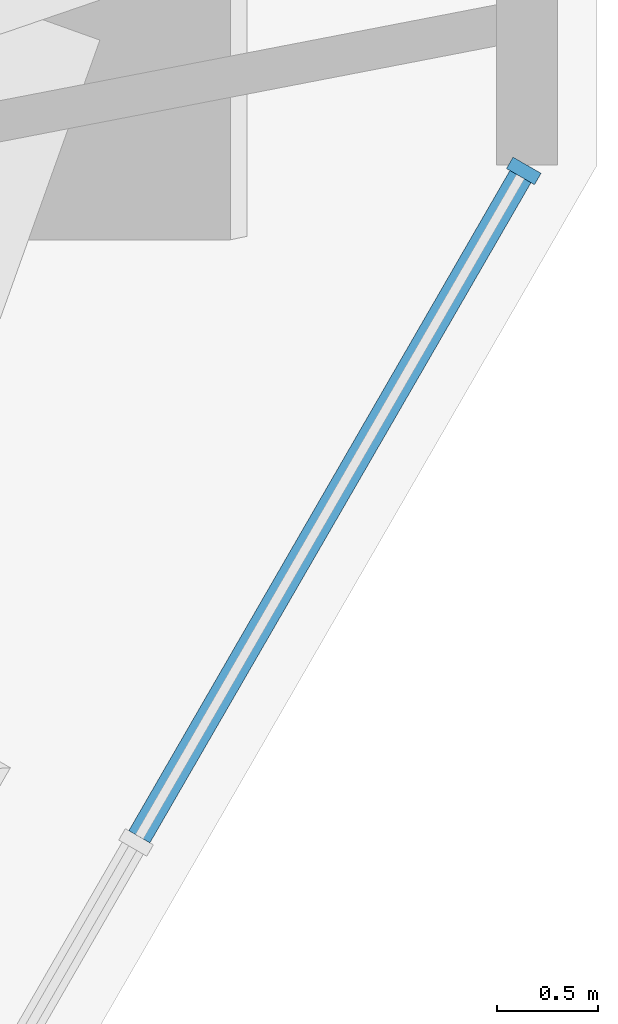
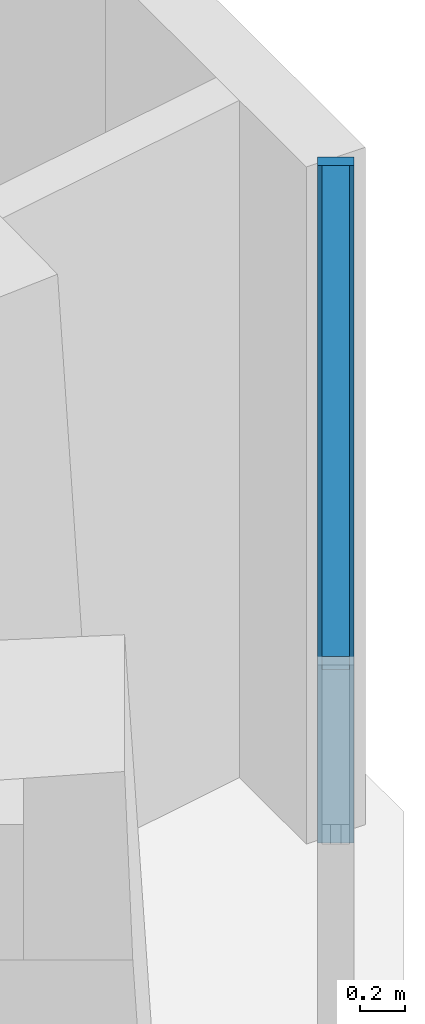
# One storey, part 6 of 17: 2 members, 1 element without a shape of its own.
"""IFC4 building model written with IfcOpenShell, lengths in metres."""

from ifc_helpers import new_model, si_unit, direction, frame, origin, origin_2d, place, context, subcontext, project, spatial, rectangle, extrude, material, material_profile, profile_set, type_object, element, aggregate, save


model = new_model("IFC4")

# Units and contexts
model_context = context("Model", 3, precision=1e-05, world=origin(), true_north=direction((0.0, 1.0)))
body_context = subcontext(model_context, "Body", "Model", "MODEL_VIEW")
ifc_project = project(units=[si_unit("LENGTHUNIT", "METRE"), si_unit("AREAUNIT", "SQUARE_METRE"), si_unit("VOLUMEUNIT", "CUBIC_METRE"), si_unit("PLANEANGLEUNIT", "RADIAN"), si_unit("MASSUNIT", "GRAM", prefix="KILO")], contexts=[model_context])

# Site, building, storey
site_placement = place(None, origin())
site = spatial("IfcSite", under=ifc_project, at=site_placement, CompositionType="ELEMENT")
building_placement = place(site_placement, origin())
building = spatial("IfcBuilding", under=site, at=building_placement, Name="Sandreach Pilgrim Tower", CompositionType="ELEMENT")
storey_placement = place(building_placement, frame((0.0, 0.0, 236.39990234375)))
storey = spatial("IfcBuildingStorey", under=building, at=storey_placement, Name="L59", CompositionType="ELEMENT", Elevation=236.39990234375)

# Curtain wall, members
ifc_material_1 = material(Name="Aluminium framed curtain wall", Category="aluminium")
curtain_wall_type = type_object("IfcCurtainWallType", Name="Upper hotel tower curtain wall", PredefinedType="NOTDEFINED", material=ifc_material_1)
curtain_wall_placement = place(storey_placement, origin())
curtain_wall = element("IfcCurtainWall", 1, at=curtain_wall_placement, inside=storey, type_object=curtain_wall_type, Name="CW-3 L59 SE", PredefinedType="NOTDEFINED")
ifc_material_2 = material(Name="Aluminium extrusion", Category="aluminium")
ifc_material_profile_1 = material_profile(ifc_material_2, rectangle(XDim=0.06494140625, YDim=0.159912109375, at=origin_2d()), Name="CW-3M 65X160")
ifc_profile_set_1 = profile_set([ifc_material_profile_1], Name="Aluminium extrusion")
member_type_1 = type_object("IfcMemberType", Name="CW-3 mullion", PredefinedType="MULLION", material=ifc_profile_set_1)
member_1_placement = place(storey_placement, frame((27.00390625, 4.451904296875, 0.0), z_axis=(0.0, 0.0, 1.0), x_axis=(-0.5, -0.866025403784, 0.0)))
member_1 = element("IfcMember", 2, at=member_1_placement, type_object=member_type_1, Name="CW-3 mullion 1", PredefinedType="MULLION", context=body_context, shape_type="SweptSolid", body=[
    extrude(rectangle(XDim=0.06494140625, YDim=0.159912109375, at=origin_2d()), origin(), (0.0, 0.0, 1.0), 3.64013671875),
])
ifc_material_3 = material(Name="Aluminium extrusion", Category="aluminium")
ifc_material_profile_2 = material_profile(ifc_material_3, rectangle(XDim=0.1201171875, YDim=0.070068359375, at=origin_2d()), Name="CW-3T 120X70")
ifc_profile_set_2 = profile_set([ifc_material_profile_2], Name="Aluminium extrusion")
member_type_2 = type_object("IfcMemberType", Name="CW-3 transom", PredefinedType="USERDEFINED", material=ifc_profile_set_2)
member_2_placement = place(storey_placement, frame((26.987548828125, 4.423828125, 3.60498046875), z_axis=(-0.499944992379, -0.86605716012, 0.0), x_axis=(0.86605716012, -0.499944992379, 0.0)))
member_2 = element("IfcMember", 3, at=member_2_placement, type_object=member_type_2, Name="CW-3 head transom 1", ObjectType="TRANSOM", PredefinedType="USERDEFINED", context=body_context, shape_type="SweptSolid", body=[
    extrude(rectangle(XDim=0.1201171875, YDim=0.070068359375, at=origin_2d()), origin(), (0.0, 0.0, 1.0), 3.76708984375),
])
aggregate(curtain_wall, [member_1, member_2])

save(model, "model.ifc")
